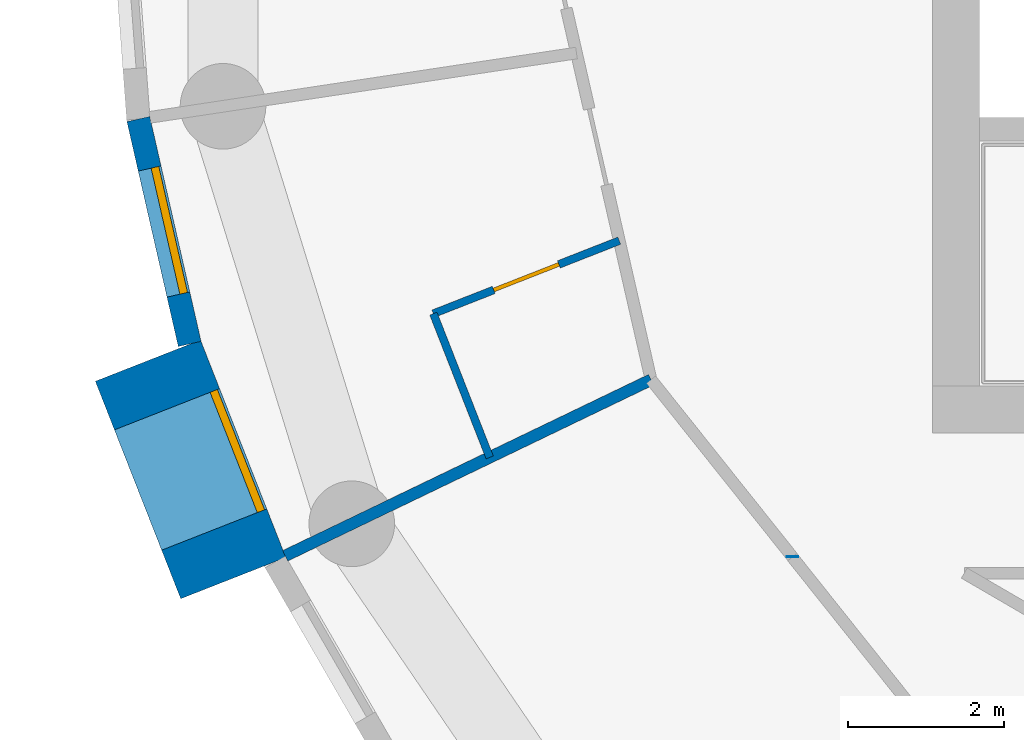
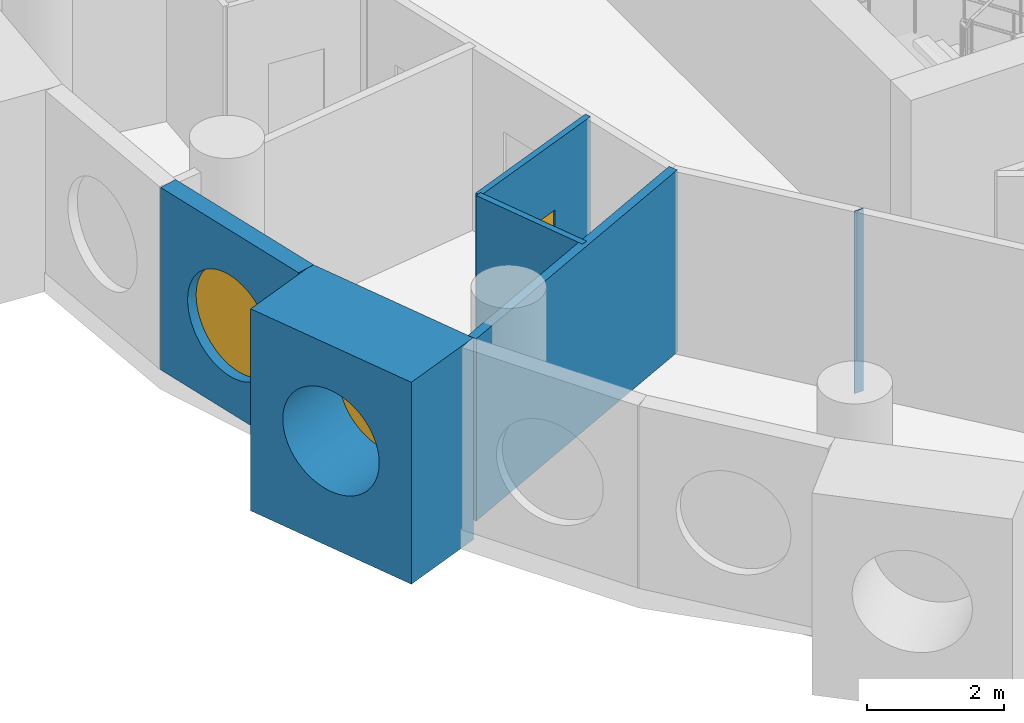
# One storey, part 2 of 12: 6 walls, 2 windows, 1 door, 3 openings.
"""IFC4 building model written with IfcOpenShell, lengths in metres."""

from ifc_helpers import new_model, si_unit, direction, frame, frame_2d, origin, origin_2d, place, context, subcontext, project, spatial, rectangle, circle, extrude, material, layer, layer_set, type_object, element, fill, save


model = new_model("IFC4")

# Units and contexts
model_context = context("Model", 3, precision=1e-05, world=origin(), true_north=direction((0.0, 1.0)))
body_context = subcontext(model_context, "Body", "Model", "MODEL_VIEW")
ifc_project = project(units=[si_unit("LENGTHUNIT", "METRE"), si_unit("AREAUNIT", "SQUARE_METRE"), si_unit("VOLUMEUNIT", "CUBIC_METRE"), si_unit("PLANEANGLEUNIT", "RADIAN"), si_unit("MASSUNIT", "GRAM", prefix="KILO")], contexts=[model_context])

# Site, building, storey
site_placement = place(None, origin())
site = spatial("IfcSite", under=ifc_project, at=site_placement, CompositionType="ELEMENT")
building_placement = place(site_placement, origin())
building = spatial("IfcBuilding", under=site, at=building_placement, Name="Tracery Tower", CompositionType="ELEMENT")
storey_placement = place(building_placement, frame((0.0, 0.0, 245.39990234375)))
storey = spatial("IfcBuildingStorey", under=building, at=storey_placement, Name="L63", CompositionType="ELEMENT", Elevation=245.39990234375)

# Wall, opening, window
ifc_material_1 = material(Name="Precast concrete C50/60", Category="concrete")
ifc_layer_1 = layer(ifc_material_1, 1.449951171875)
ifc_layer_set_1 = layer_set([ifc_layer_1], Name="Deep-set bay unit 3000 x 3600, slab edge 350")
wall_type_1 = type_object("IfcWallType", Name="Deep-set bay unit 3000 x 3600, slab edge 350", PredefinedType="ELEMENTEDWALL", material=ifc_layer_set_1)
wall_1_placement = place(storey_placement, frame((-19.576171875, -6.071533203125, -0.349853515625), z_axis=(0.0, 0.0, 1.0), x_axis=(0.36537792632, -0.93085926485, 0.0)))
wall_1 = element("IfcWall", 1, at=wall_1_placement, inside=storey, type_object=wall_type_1, Name="Deep-set bay unit 24 at L63", PredefinedType="ELEMENTEDWALL", context=body_context, shape_type="SweptSolid", body=[
    extrude(rectangle(XDim=3.000244140625, YDim=1.449951171875, at=frame_2d((1.5, 0.0))), origin(), (0.0, 0.0, 1.0), 3.599853515625),
])
opening_1_placement = place(wall_1_placement, frame((1.5, 0.0, 1.89990234375)))
opening_1 = element("IfcOpeningElement", 2, at=opening_1_placement, cuts=wall_1, Name="Opening WN1", PredefinedType="OPENING", context=body_context, shape_type="SweptSolid", body=[
    extrude(circle(Radius=0.9000244140625, at=origin_2d()), frame((0.0, 0.73486328125, 0.0), z_axis=(0.0, -1.0, 0.0), x_axis=(1.0, 0.0, 0.0)), (0.0, 0.0, 1.0), 1.469970703125),
])
ifc_material_2 = material(Name="Aluminium frame with tinted double glazing", Category="aluminium")
window_type = type_object("IfcWindowType", Name="Round window 1800", PartitioningType="SINGLE_PANEL", PredefinedType="WINDOW", material=ifc_material_2)
window_1_placement = place(opening_1_placement, origin())
window_1 = element("IfcWindow", 3, at=window_1_placement, inside=storey, type_object=window_type, Name="Round window 24 at L63", OverallHeight=1.800048828125, OverallWidth=1.800048828125, PartitioningType="SINGLE_PANEL", PredefinedType="WINDOW", context=body_context, shape_type="SweptSolid", body=[
    extrude(circle(Radius=0.9000244140625, at=origin_2d()), frame((0.0, 0.69482421875, 0.0), z_axis=(0.0, -1.0, 0.0), x_axis=(1.0, 0.0, 0.0)), (0.0, 0.0, 1.0), 0.10009765625),
])
fill(opening_1, window_1)

ifc_material_3 = material(Name="Precast concrete C50/60", Category="concrete")
ifc_layer_2 = layer(ifc_material_3, 0.300048828125)
ifc_layer_set_2 = layer_set([ifc_layer_2], Name="Facade panel 3000 x 3250")
wall_type_2 = type_object("IfcWallType", Name="Facade panel 3000 x 3250", PredefinedType="SOLIDWALL", material=ifc_layer_set_2)
wall_2_placement = place(storey_placement, frame((-19.69921875, -2.96923828125, 0.0), z_axis=(0.0, 0.0, 1.0), x_axis=(0.222529389789, -0.974925982155, 0.0)))
wall_2 = element("IfcWall", 4, at=wall_2_placement, inside=storey, type_object=wall_type_2, Name="Facade panel 23 at L63", PredefinedType="SOLIDWALL", context=body_context, shape_type="SweptSolid", body=[
    extrude(rectangle(XDim=2.962158203125, YDim=0.300048828125, at=frame_2d((1.48095703125, 0.0))), origin(), (0.0, 0.0, 1.0), 3.25),
])
opening_2_placement = place(wall_2_placement, frame((1.48095703125, 0.0, 1.5498046875)))
opening_2 = element("IfcOpeningElement", 5, at=opening_2_placement, cuts=wall_2, Name="Opening WN1", PredefinedType="OPENING", context=body_context, shape_type="SweptSolid", body=[
    extrude(circle(Radius=0.9000244140625, at=origin_2d()), frame((0.0, 0.159912109375, 0.0), z_axis=(0.0, -1.0, 0.0), x_axis=(1.0, 0.0, 0.0)), (0.0, 0.0, 1.0), 0.320068359375),
])
window_2_placement = place(opening_2_placement, origin())
window_2 = element("IfcWindow", 6, at=window_2_placement, inside=storey, type_object=window_type, Name="Round window 23 at L63", OverallHeight=1.800048828125, OverallWidth=1.800048828125, PartitioningType="SINGLE_PANEL", PredefinedType="WINDOW", context=body_context, shape_type="SweptSolid", body=[
    extrude(circle(Radius=0.9000244140625, at=origin_2d()), frame((0.0, 0.1201171875, 0.0), z_axis=(0.0, -1.0, 0.0), x_axis=(1.0, 0.0, 0.0)), (0.0, 0.0, 1.0), 0.10009765625),
])
fill(opening_2, window_2)

# Wall, opening, door
ifc_material_4 = material(Name="Plasterboard on steel studs", Category="steel")
ifc_layer_3 = layer(ifc_material_4, 0.10009765625)
ifc_layer_set_3 = layer_set([ifc_layer_3], Name="Partition 100 wet wall")
wall_type_3 = type_object("IfcWallType", Name="Partition 100 wet wall", PredefinedType="PARTITIONING", material=ifc_layer_set_3)
wall_3_placement = place(storey_placement, frame((-15.910888671875, -5.468017578125, 0.0), z_axis=(0.0, 0.0, 1.0), x_axis=(0.930898333543, 0.365278376867, 0.0)))
wall_3 = element("IfcWall", 7, at=wall_3_placement, inside=storey, type_object=wall_type_3, Name="Wet wall RC2-063", PredefinedType="PARTITIONING", context=body_context, shape_type="SweptSolid", body=[
    extrude(rectangle(XDim=2.565185546875, YDim=0.10009765625, at=frame_2d((1.28271484375, 0.0))), origin(), (0.0, 0.0, 1.0), 3.25),
])
opening_3_placement = place(wall_3_placement, frame((0.832275390625, 0.0, 0.0)))
opening_3 = element("IfcOpeningElement", 8, at=opening_3_placement, cuts=wall_3, Name="Opening RC2-16", PredefinedType="OPENING", context=body_context, shape_type="SweptSolid", body=[
    extrude(rectangle(XDim=0.89990234375, YDim=2.0400390625, at=frame_2d((0.449951171875, 1.02001953125))), frame((0.0, 0.050048828125, 0.0), z_axis=(0.0, -1.0, 0.0), x_axis=(1.0, 0.0, 0.0)), (0.0, 0.0, 1.0), 0.10009765625),
])
ifc_material_5 = material(Name="Timber door leaf", Category="wood")
door_type = type_object("IfcDoorType", Name="Door en-suite 900", OperationType="NOTDEFINED", PredefinedType="DOOR", material=ifc_material_5)
door_placement = place(opening_3_placement, origin())
door = element("IfcDoor", 9, at=door_placement, inside=storey, type_object=door_type, Name="En-suite door RC2-16", OperationType="SINGLE_SWING_RIGHT", OverallHeight=2.0400390625, OverallWidth=0.89990234375, PredefinedType="DOOR", context=body_context, shape_type="SweptSolid", body=[
    extrude(rectangle(XDim=0.89990234375, YDim=2.0400390625, at=frame_2d((0.449951171875, 1.02001953125))), frame((0.0, 0.02490234375, 0.0), z_axis=(0.0, -1.0, 0.0), x_axis=(1.0, 0.0, 0.0)), (0.0, 0.0, 1.0), 0.050048828125),
])
fill(opening_3, door)

# Walls
wall_4_placement = place(storey_placement, frame((-15.910888671875, -5.468017578125, 0.0), z_axis=(0.0, 0.0, 1.0), x_axis=(0.36507706633, -0.930977301356, 0.0)))
element("IfcWall", 10, at=wall_4_placement, inside=storey, type_object=wall_type_3, Name="Wet wall RC2-064", PredefinedType="PARTITIONING", context=body_context, shape_type="SweptSolid", body=[
    extrude(rectangle(XDim=1.98291015625, YDim=0.10009765625, at=frame_2d((0.991455078125, 0.0))), origin(), (0.0, 0.0, 1.0), 3.25),
])
ifc_material_6 = material(Name="Plasterboard on steel studs", Category="steel")
ifc_layer_4 = layer(ifc_material_6, 0.14990234375)
ifc_layer_set_4 = layer_set([ifc_layer_4], Name="Partition 150 acoustic unit wall")
wall_type_4 = type_object("IfcWallType", Name="Partition 150 acoustic unit wall", PredefinedType="PARTITIONING", material=ifc_layer_set_4)
wall_5_placement = place(storey_placement, frame((-17.81298828125, -8.577880859375, 0.0), z_axis=(0.0, 0.0, 1.0), x_axis=(0.901049790108, 0.433715662325, 0.0)))
element("IfcWall", 11, at=wall_5_placement, inside=storey, type_object=wall_type_4, Name="Unit wall RC2-065", PredefinedType="PARTITIONING", context=body_context, shape_type="SweptSolid", body=[
    extrude(rectangle(XDim=5.214111328125, YDim=0.14990234375, at=frame_2d((2.60693359375, 0.0))), origin(), (0.0, 0.0, 1.0), 3.25),
])
ifc_material_7 = material(Name="Plasterboard on steel studs", Category="steel")
ifc_layer_5 = layer(ifc_material_7, 0.14990234375)
ifc_layer_set_5 = layer_set([ifc_layer_5], Name="Partition 150 corridor wall")
wall_type_5 = type_object("IfcWallType", Name="Partition 150 corridor wall", PredefinedType="PARTITIONING", material=ifc_layer_set_5)
wall_6_placement = place(storey_placement, frame((-11.300048828125, -8.59619140625, 0.0), z_axis=(0.0, 0.0, 1.0), x_axis=(0.0, 1.0, 0.0)))
element("IfcWall", 12, at=wall_6_placement, inside=storey, type_object=wall_type_5, Name="Corridor wall RC2-016", PredefinedType="PARTITIONING", context=body_context, shape_type="SweptSolid", body=[
    extrude(rectangle(XDim=0.01025390625, YDim=0.14990234375, at=frame_2d((0.005126953125, 0.0))), origin(), (0.0, 0.0, 1.0), 3.25),
])

save(model, "model.ifc")
